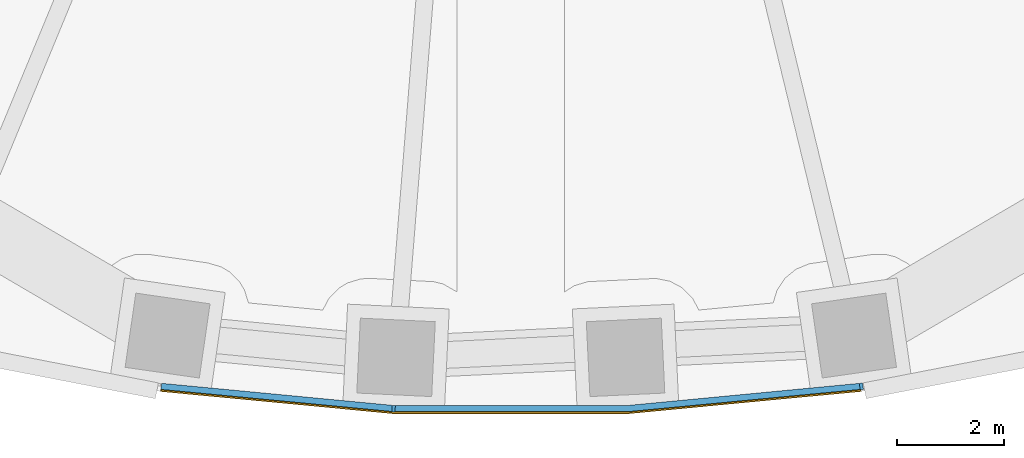
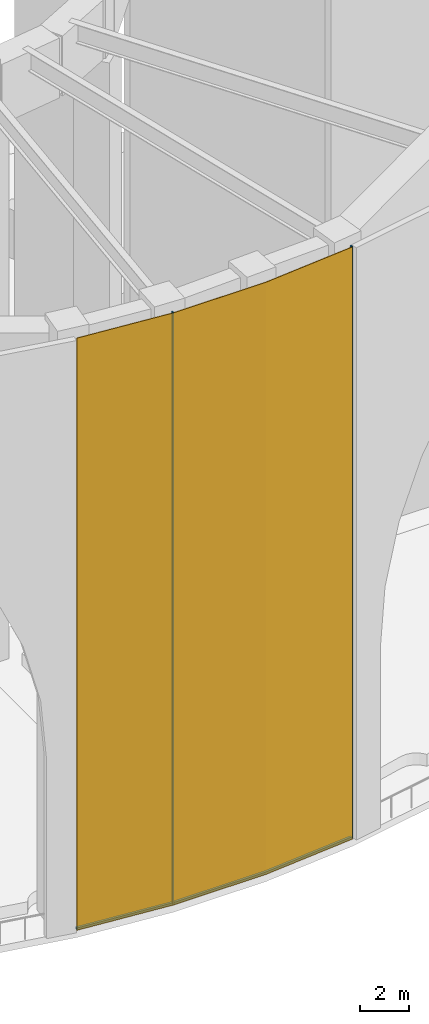
# One storey, part 10 of 26: 4 members, 1 curtain wall.
"""IFC4 building model written with IfcOpenShell, lengths in metres."""

from ifc_helpers import new_model, si_unit, direction, frame, origin, origin_2d, place, context, subcontext, project, spatial, polyline, rectangle, outline, extrude, material, layer, layer_set, material_profile, profile_set, type_object, element, aggregate, save


model = new_model("IFC4")

# Units and contexts
model_context = context("Model", 3, precision=1e-05, world=origin(), true_north=direction((0.0, 1.0)))
body_context = subcontext(model_context, "Body", "Model", "MODEL_VIEW")
ifc_project = project(units=[si_unit("LENGTHUNIT", "METRE"), si_unit("AREAUNIT", "SQUARE_METRE"), si_unit("VOLUMEUNIT", "CUBIC_METRE"), si_unit("PLANEANGLEUNIT", "RADIAN"), si_unit("MASSUNIT", "GRAM", prefix="KILO")], contexts=[model_context])

# Member
ifc_material_1 = material(Name="Aluminium 6063-T6 black anodised", Category="aluminium")
ifc_material_profile = material_profile(ifc_material_1, rectangle(XDim=0.1201171875, YDim=0.06005859375, at=origin_2d()), Name="120x60")
ifc_profile_set = profile_set([ifc_material_profile], Name="Aluminium 6063-T6 black anodised")
member_type_1 = type_object("IfcMemberType", Name="ENV-MULLION-A-120", PredefinedType="MULLION", material=ifc_profile_set)
site_placement = place(None, origin())
building_placement = place(site_placement, origin())
storey_placement = place(building_placement, frame((0.0, 0.0, 203.5)))
member_1_placement = place(storey_placement, frame((-2.188720703125, -27.856201171875, 0.0), z_axis=(0.0, 0.0, 1.0), x_axis=(0.047557873581, 0.998868484166, 0.0)))
member_1 = element("IfcMember", 1, at=member_1_placement, type_object=member_type_1, Name="Mullion A radial 35", PredefinedType="MULLION", context=body_context, shape_type="SweptSolid", body=[
    extrude(rectangle(XDim=0.1201171875, YDim=0.06005859375, at=origin_2d()), origin(), (0.0, 0.0, 1.0), 29.699951171875),
])

member_2_placement = place(storey_placement, frame((6.54638671875, -27.440185546875, 0.0), z_axis=(0.0, 0.0, 1.0), x_axis=(-0.143082012705, 0.989710835366, 0.0)))
member_2 = element("IfcMember", 2, at=member_2_placement, type_object=member_type_1, Name="Mullion A radial 37", PredefinedType="MULLION", context=body_context, shape_type="SweptSolid", body=[
    extrude(rectangle(XDim=0.1201171875, YDim=0.06005859375, at=origin_2d()), origin(), (0.0, 0.0, 1.0), 29.699951171875),
])

ifc_material_2 = material(Name="Aluminium 6063-T6 black anodised", Category="aluminium")
member_type_2 = type_object("IfcMemberType", Name="ENV-TRANSOM-A", PredefinedType="USERDEFINED", material=ifc_material_2)
member_3_placement = place(storey_placement, origin())
member_3 = element("IfcMember", 3, at=member_3_placement, type_object=member_type_2, Name="Transom A radial 34-35", ObjectType="TRANSOM", PredefinedType="USERDEFINED", context=body_context, shape_type="SweptSolid", body=[
    extrude(outline(polyline([(-6.53515625, -27.50146484375), (-2.219482421875, -27.913330078125), (-2.2138671875, -27.793212890625), (-6.51806640625, -27.382568359375), (-6.53515625, -27.50146484375)])), origin(), (0.0, 0.0, 1.0), 0.10009765625),
])

member_4_placement = place(storey_placement, origin())
member_4 = element("IfcMember", 4, at=member_4_placement, type_object=member_type_2, Name="Transom A radial 35-37", ObjectType="TRANSOM", PredefinedType="USERDEFINED", context=body_context, shape_type="SweptSolid", body=[
    extrude(outline(polyline([(-2.163818359375, -27.916015625), (2.191650390625, -27.916015625), (6.527099609375, -27.502197265625), (6.510009765625, -27.38330078125), (2.185791015625, -27.7958984375), (-2.157958984375, -27.7958984375), (-2.163818359375, -27.916015625)])), origin(), (0.0, 0.0, 1.0), 0.10009765625),
])

# Site, building, storey
site = spatial("IfcSite", under=ifc_project, at=site_placement, CompositionType="ELEMENT")
building = spatial("IfcBuilding", under=site, at=building_placement, Name="Noorbagh Ring Tower", CompositionType="ELEMENT")
storey = spatial("IfcBuildingStorey", under=building, at=storey_placement, Name="L47", CompositionType="ELEMENT", Elevation=203.5)

# Curtain wall
ifc_material_3 = material(Name="Glass dark tinted laminated", Category="glass")
ifc_layer = layer(ifc_material_3, 0.031982421875)
ifc_layer_set = layer_set([ifc_layer], Name="Glass dark tinted laminated")
curtain_wall_type = type_object("IfcCurtainWallType", Name="ENV-CW-A", PredefinedType="NOTDEFINED", material=ifc_layer_set)
curtain_wall_placement = place(storey_placement, origin())
curtain_wall = element("IfcCurtainWall", 5, at=curtain_wall_placement, inside=storey, type_object=curtain_wall_type, Name="Curtain wall A R34", PredefinedType="NOTDEFINED", context=body_context, shape_type="SweptSolid", body=[
    extrude(outline(polyline([(-6.539794921875, -27.533203125), (-2.193115234375, -27.947998046875), (2.193115234375, -27.947998046875), (6.539794921875, -27.533203125), (6.53515625, -27.50146484375), (2.191650390625, -27.916015625), (-2.191650390625, -27.916015625), (-6.53515625, -27.50146484375), (-6.539794921875, -27.533203125)])), origin(), (0.0, 0.0, 1.0), 29.699951171875),
])

aggregate(curtain_wall, [member_1, member_2, member_3, member_4])

save(model, "model.ifc")
